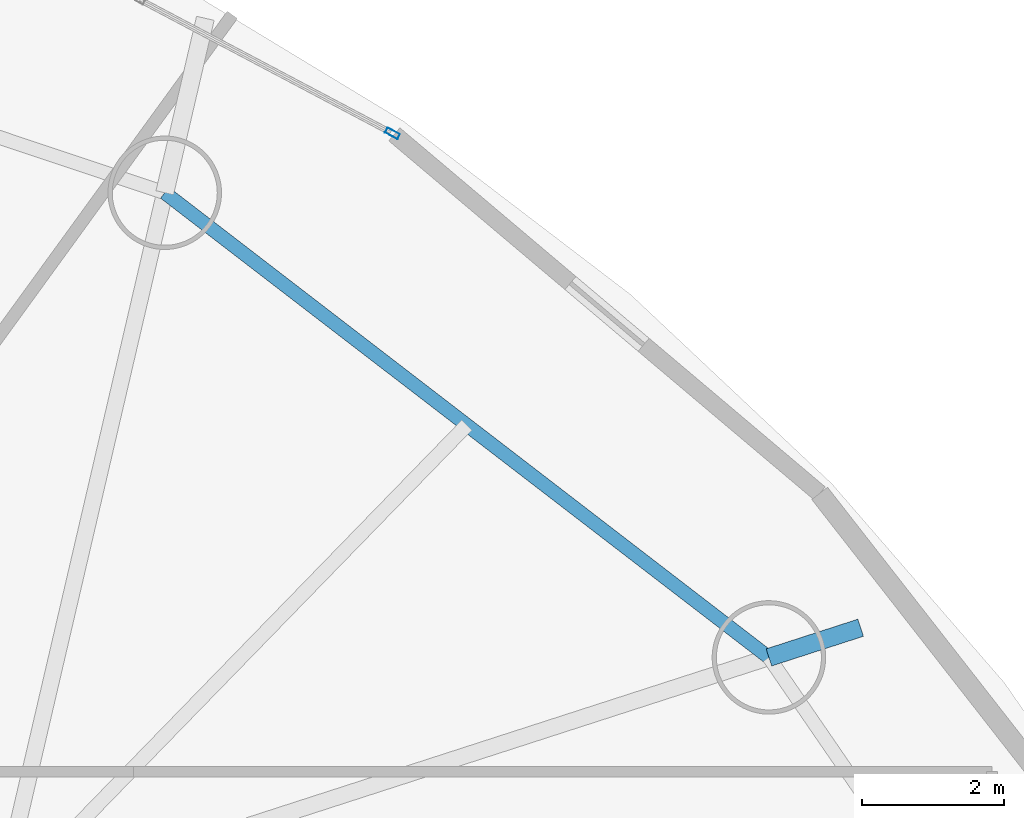
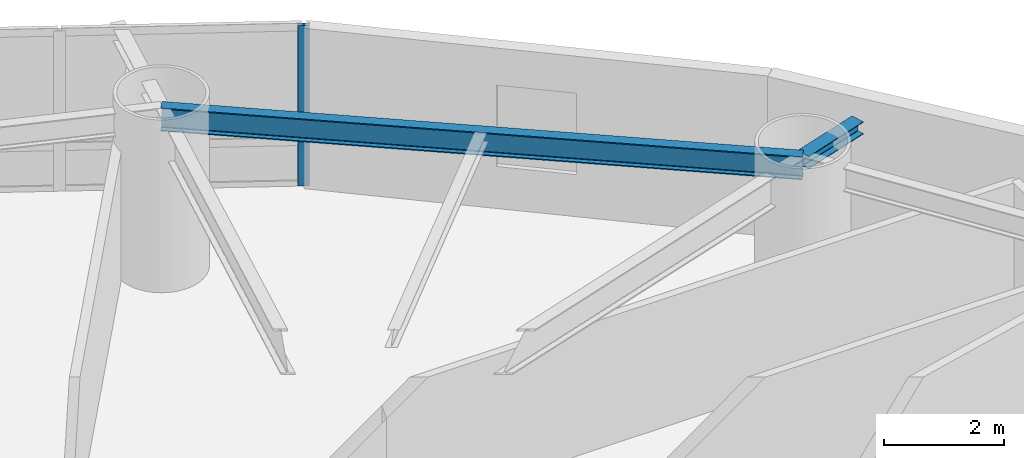
# One storey, part 10 of 19: 2 beams, 1 member, 1 element without a shape of its own.
"""IFC4 building model written with IfcOpenShell, lengths in metres."""

from ifc_helpers import new_model, si_unit, direction, frame, origin, origin_2d, place, context, subcontext, project, spatial, hollow_rectangle, i_section, extrude, material, layer, layer_set, material_profile, profile_set, type_object, element, aggregate, save


model = new_model("IFC4")

# Units and contexts
model_context = context("Model", 3, precision=1e-05, world=origin(), true_north=direction((0.0, 1.0)))
body_context = subcontext(model_context, "Body", "Model", "MODEL_VIEW")
ifc_project = project(units=[si_unit("LENGTHUNIT", "METRE"), si_unit("AREAUNIT", "SQUARE_METRE"), si_unit("VOLUMEUNIT", "CUBIC_METRE"), si_unit("PLANEANGLEUNIT", "RADIAN"), si_unit("MASSUNIT", "GRAM", prefix="KILO")], contexts=[model_context])

# Site, building, storey
site_placement = place(None, origin())
site = spatial("IfcSite", under=ifc_project, at=site_placement, CompositionType="ELEMENT")
building_placement = place(site_placement, origin())
building = spatial("IfcBuilding", under=site, at=building_placement, Name="Bramvorn Convention Spire", CompositionType="ELEMENT")
storey_placement = place(building_placement, frame((0.0, 0.0, 62.39990234375)))
storey = spatial("IfcBuildingStorey", under=building, at=storey_placement, Name="L13", CompositionType="ELEMENT", Elevation=62.39990234375)

# Beams
ifc_material_1 = material(Name="Steel CSA G40.21 Grade 350 (350W)", Category="steel")
ifc_material_profile_1 = material_profile(ifc_material_1, i_section(OverallWidth=0.25390625, OverallDepth=0.2529296875, WebThickness=0.008544921875, FlangeThickness=0.01416015625, FilletRadius=0.011962890625, at=origin_2d()))
ifc_profile_set_1 = profile_set([ifc_material_profile_1], Name="Steel CSA G40.21 Grade 350 (350W) - W250X73")
beam_type_1 = type_object("IfcBeamType", Name="BM-W250X73", PredefinedType="BEAM", material=ifc_profile_set_1)
beam_1_placement = place(storey_placement, frame((60.105224609375, 36.960205078125, 3.12353515625), z_axis=(0.951466182021, 0.307753317561, 0.0), x_axis=(-0.307753317561, 0.951466182021, 0.0)))
element("IfcBeam", 1, at=beam_1_placement, inside=storey, type_object=beam_type_1, Name="L13 slab-edge cantilever tip beam MC03", PredefinedType="BEAM", context=body_context, shape_type="SweptSolid", body=[
    extrude(i_section(OverallWidth=0.25390625, OverallDepth=0.2529296875, WebThickness=0.008544921875, FlangeThickness=0.01416015625, FilletRadius=0.011962890625, at=origin_2d()), origin(), (0.0, 0.0, 1.0), 1.35888671875),
])
ifc_material_profile_2 = material_profile(ifc_material_1, i_section(OverallWidth=0.194091796875, OverallDepth=0.468994140625, WebThickness=0.0126953125, FlangeThickness=0.0205078125, FilletRadius=0.01806640625, at=origin_2d()))
ifc_profile_set_2 = profile_set([ifc_material_profile_2], Name="Steel CSA G40.21 Grade 350 (350W) - W460X106")
beam_type_2 = type_object("IfcBeamType", Name="BM-W460X106", PredefinedType="SPANDREL", material=ifc_profile_set_2)
beam_2_placement = place(storey_placement, frame((60.105224609375, 36.960205078125, 3.015625), z_axis=(-0.792672990445, 0.609647053809, 0.0), x_axis=(-0.609647053809, -0.792672990445, 0.0)))
element("IfcBeam", 2, at=beam_2_placement, inside=storey, type_object=beam_type_2, Name="L13 mega-column ring beam 03", PredefinedType="SPANDREL", context=body_context, shape_type="SweptSolid", body=[
    extrude(i_section(OverallWidth=0.194091796875, OverallDepth=0.468994140625, WebThickness=0.0126953125, FlangeThickness=0.0205078125, FilletRadius=0.01806640625, at=origin_2d()), origin(), (0.0, 0.0, 1.0), 10.741943359375),
])

# Curtain wall, member
ifc_material_2 = material(Name="Anodised Bronze Unitised Curtain Wall", Category="aluminium")
ifc_layer = layer(ifc_material_2, 0.179931640625)
ifc_layer_set = layer_set([ifc_layer], Name="Anodised Bronze Unitised Curtain Wall - CW-HTL-FRIT")
curtain_wall_type = type_object("IfcCurtainWallType", Name="CW-HTL-FRIT", PredefinedType="USERDEFINED", material=ifc_layer_set)
curtain_wall_placement = place(storey_placement, origin())
curtain_wall = element("IfcCurtainWall", 3, at=curtain_wall_placement, inside=storey, type_object=curtain_wall_type, Name="L13 fritted glass curtain wall 05", ObjectType="UNITISED CURTAIN WALL", PredefinedType="USERDEFINED")
ifc_material_3 = material(Name="Anodised Bronze Aluminium 6063-T6", Category="aluminium")
ifc_material_profile_3 = material_profile(ifc_material_3, hollow_rectangle(XDim=0.080078125, YDim=0.199951171875, WallThickness=0.00390625, InnerFilletRadius=0.0009765625, OuterFilletRadius=0.00390625, at=origin_2d()))
ifc_profile_set_3 = profile_set([ifc_material_profile_3], Name="Anodised Bronze Aluminium 6063-T6 - CWM80X200")
member_type = type_object("IfcMemberType", Name="CW-MUL-180", PredefinedType="MULLION", material=ifc_profile_set_3)
member_placement = place(storey_placement, frame((54.799560546875, 44.345703125, 0.0), z_axis=(0.0, 0.0, 1.0), x_axis=(0.46755479478, 0.883964090831, 0.0)))
member = element("IfcMember", 4, at=member_placement, type_object=member_type, Name="CW2 mullion 3", PredefinedType="MULLION", context=body_context, shape_type="SweptSolid", body=[
    extrude(hollow_rectangle(XDim=0.080078125, YDim=0.199951171875, WallThickness=0.00390625, InnerFilletRadius=0.0009765625, OuterFilletRadius=0.00390625, at=origin_2d()), origin(), (0.0, 0.0, 1.0), 3.25),
])
aggregate(curtain_wall, [member])

save(model, "model.ifc")
